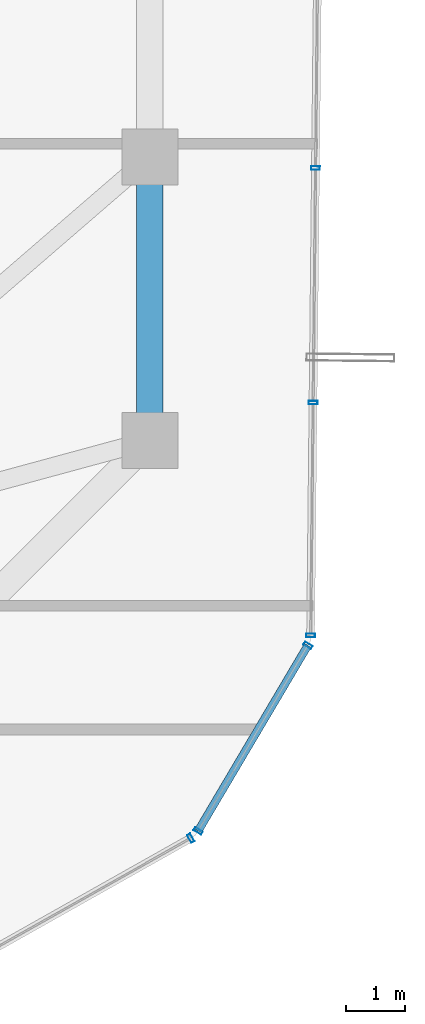
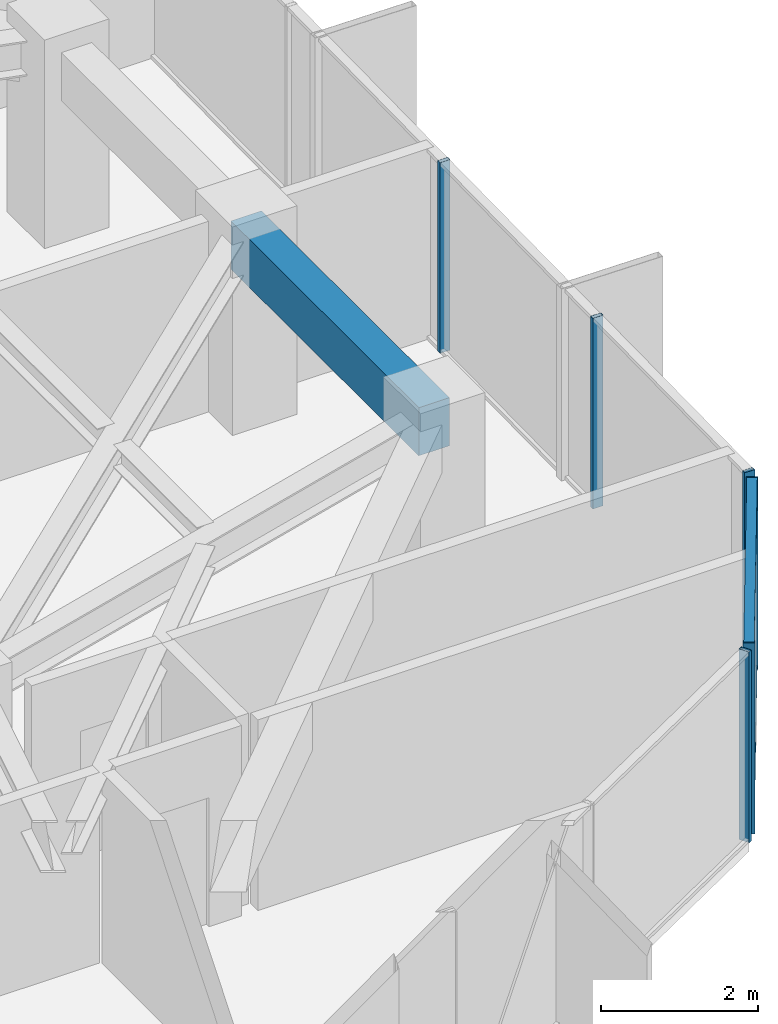
# One storey, part 16 of 30: 8 members, 1 beam, 3 elements without a shape of their own.
"""IFC4 building model written with IfcOpenShell, lengths in metres."""

from ifc_helpers import new_model, si_unit, direction, frame, origin, origin_2d, place, context, subcontext, project, spatial, rectangle, hollow_rectangle, extrude, source, transform, mapped, material, layer, layer_set, material_profile, profile_set, type_object, element, aggregate, save


model = new_model("IFC4")

# Units and contexts
model_context = context("Model", 3, precision=1e-05, world=origin(), true_north=direction((0.0, 1.0)))
body_context = subcontext(model_context, "Body", "Model", "MODEL_VIEW")
ifc_project = project(units=[si_unit("LENGTHUNIT", "METRE"), si_unit("AREAUNIT", "SQUARE_METRE"), si_unit("VOLUMEUNIT", "CUBIC_METRE"), si_unit("PLANEANGLEUNIT", "RADIAN"), si_unit("MASSUNIT", "GRAM", prefix="KILO")], contexts=[model_context])

# Site, building, storey
site_placement = place(None, origin())
site = spatial("IfcSite", under=ifc_project, at=site_placement, CompositionType="ELEMENT")
building_placement = place(site_placement, origin())
building = spatial("IfcBuilding", under=site, at=building_placement, Name="Veraguas Prism Commons", CompositionType="ELEMENT")
storey_placement = place(building_placement, frame((0.0, 0.0, 208.10009765625)))
storey = spatial("IfcBuildingStorey", under=building, at=storey_placement, Name="L59", CompositionType="ELEMENT", Elevation=208.10009765625)

# Beam
ifc_material_1 = material(Name="Concrete C50/60", Category="concrete")
ifc_material_profile_1 = material_profile(ifc_material_1, rectangle(XDim=0.449951171875, YDim=0.75, at=origin_2d()), Name="RC450X750")
ifc_profile_set_1 = profile_set([ifc_material_profile_1], Name="Concrete C50/60")
beam_type = type_object("IfcBeamType", Name="Perimeter Spandrel Upper RC 450x750", PredefinedType="SPANDREL", material=ifc_profile_set_1)
beam_placement = place(storey_placement, frame((38.89990234375, 19.199951171875, 2.594970703125), z_axis=(0.0, 1.0, 0.0), x_axis=(-1.0, 0.0, 0.0)))
element("IfcBeam", 1, at=beam_placement, inside=storey, type_object=beam_type, Name="Perimeter Spandrel Beam L59-SP01", PredefinedType="SPANDREL", context=body_context, shape_type="SweptSolid", body=[
    extrude(rectangle(XDim=0.449951171875, YDim=0.75, at=origin_2d()), origin(), (0.0, 0.0, 1.0), 4.800048828125),
])

# Curtain wall, members
ifc_material_2 = material(Name="Anodised aluminium EN AW-6063 T6", Category="aluminium")
ifc_layer = layer(ifc_material_2, 0.14990234375, Name="Unitised Flush Curtain Wall Zone 3", Category="aluminium")
ifc_layer_set = layer_set([ifc_layer], Name="Anodised aluminium EN AW-6063 T6")
curtain_wall_type = type_object("IfcCurtainWallType", Name="Unitised Flush Curtain Wall Zone 3", PredefinedType="NOTDEFINED", material=ifc_layer_set)
curtain_wall_1_placement = place(storey_placement, origin())
curtain_wall_1 = element("IfcCurtainWall", 2, at=curtain_wall_1_placement, inside=storey, type_object=curtain_wall_type, Name="Chamfer Curtain Wall L59-C6", PredefinedType="NOTDEFINED")
ifc_material_profile_2 = material_profile(ifc_material_2, hollow_rectangle(XDim=0.054931640625, YDim=0.135009765625, WallThickness=0.0029296875, at=origin_2d()), Name="AL55X135X3")
ifc_profile_set_2 = profile_set([ifc_material_profile_2], Name="Anodised aluminium EN AW-6063 T6")
member_type_1 = type_object("IfcMemberType", Name="Curtain Wall Transom Standard AL 55x135x3", PredefinedType="USERDEFINED", material=ifc_profile_set_2)
shared_shape_1 = source(origin(), body_context, "Body", "SweptSolid", [
    extrude(hollow_rectangle(XDim=0.054931640625, YDim=0.135009765625, WallThickness=0.0029296875, at=origin_2d()), origin(), (0.0, 0.0, 1.0), 3.654541015625),
])
member_1_placement = place(storey_placement, frame((39.71923828125, 12.580810546875, 0.02734375), z_axis=(0.509062383724, 0.860729626234, 0.0), x_axis=(0.0, 0.0, 1.0)))
member_1 = element("IfcMember", 3, at=member_1_placement, type_object=member_type_1, Name="CW-Z3 Transom 1", ObjectType="TRANSOM", PredefinedType="USERDEFINED", context=body_context, shape_type="MappedRepresentation", body=[
    mapped(shared_shape_1, transform((0.0, 0.0, 0.0), scale=1.0)),
])
member_2_placement = place(storey_placement, frame((39.71923828125, 12.580810546875, 2.9423828125), z_axis=(0.509062383724, 0.860729626234, 0.0), x_axis=(0.0, 0.0, 1.0)))
member_2 = element("IfcMember", 4, at=member_2_placement, type_object=member_type_1, Name="CW-Z3 Transom 2", ObjectType="TRANSOM", PredefinedType="USERDEFINED", context=body_context, shape_type="MappedRepresentation", body=[
    mapped(shared_shape_1, transform((0.0, 0.0, 0.0), scale=1.0)),
])

# Curtain wall, member
curtain_wall_2_placement = place(storey_placement, origin())
curtain_wall_2 = element("IfcCurtainWall", 5, at=curtain_wall_2_placement, inside=storey, type_object=curtain_wall_type, Name="Tower Facade Curtain Wall L59-F5", PredefinedType="NOTDEFINED")
ifc_material_profile_3 = material_profile(ifc_material_2, hollow_rectangle(XDim=0.06005859375, YDim=0.14990234375, WallThickness=0.0029296875, at=origin_2d()), Name="AL60X150X3")
ifc_profile_set_3 = profile_set([ifc_material_profile_3], Name="Anodised aluminium EN AW-6063 T6")
member_type_2 = type_object("IfcMemberType", Name="Curtain Wall Mullion Upper AL 60x150x3", PredefinedType="MULLION", material=ifc_profile_set_3)
shared_shape_2 = source(origin(), body_context, "Body", "SweptSolid", [
    extrude(hollow_rectangle(XDim=0.06005859375, YDim=0.14990234375, WallThickness=0.0029296875, at=origin_2d()), origin(), (0.0, 0.0, 1.0), 2.969970703125),
])
member_3_placement = place(storey_placement, frame((39.594970703125, 12.459228515625, 0.0), z_axis=(0.0, 0.0, 1.0), x_axis=(0.871215524692, 0.490900712502, 0.0)))
member_3 = element("IfcMember", 6, at=member_3_placement, type_object=member_type_2, Name="CW-Z3 Mullion 5", PredefinedType="MULLION", context=body_context, shape_type="MappedRepresentation", body=[
    mapped(shared_shape_2, transform((0.0, 0.0, 0.0), scale=1.0)),
])
aggregate(curtain_wall_2, [member_3])

# Curtain wall, members
curtain_wall_3_placement = place(storey_placement, origin())
curtain_wall_3 = element("IfcCurtainWall", 7, at=curtain_wall_3_placement, inside=storey, type_object=curtain_wall_type, Name="Tower Facade Curtain Wall L59-F6", PredefinedType="NOTDEFINED")
member_4_placement = place(storey_placement, frame((41.626220703125, 15.893798828125, 0.0), z_axis=(0.0, 0.0, 1.0), x_axis=(0.010470038883, 0.999945187641, 0.0)))
member_4 = element("IfcMember", 8, at=member_4_placement, type_object=member_type_2, Name="CW-Z3 Mullion 1", PredefinedType="MULLION", context=body_context, shape_type="MappedRepresentation", body=[
    mapped(shared_shape_2, transform((0.0, 0.0, 0.0), scale=1.0)),
])
member_5_placement = place(storey_placement, frame((41.667724609375, 19.839111328125, 0.0), z_axis=(0.0, 0.0, 1.0), x_axis=(0.010470038883, 0.999945187641, 0.0)))
member_5 = element("IfcMember", 9, at=member_5_placement, type_object=member_type_2, Name="CW-Z3 Mullion 2", PredefinedType="MULLION", context=body_context, shape_type="MappedRepresentation", body=[
    mapped(shared_shape_2, transform((0.0, 0.0, 0.0), scale=1.0)),
])
member_6_placement = place(storey_placement, frame((41.709228515625, 23.814453125, 0.0), z_axis=(0.0, 0.0, 1.0), x_axis=(0.010470038883, 0.999945187641, 0.0)))
member_6 = element("IfcMember", 10, at=member_6_placement, type_object=member_type_2, Name="CW-Z3 Mullion 3", PredefinedType="MULLION", context=body_context, shape_type="MappedRepresentation", body=[
    mapped(shared_shape_2, transform((0.0, 0.0, 0.0), scale=1.0)),
])
aggregate(curtain_wall_3, [member_4, member_5, member_6])

# Member
member_7_placement = place(storey_placement, frame((39.71923828125, 12.580810546875, 0.0), z_axis=(0.0, 0.0, 1.0), x_axis=(0.509057940717, 0.860732253952, 0.0)))
member_7 = element("IfcMember", 11, at=member_7_placement, type_object=member_type_2, Name="CW-Z3 Mullion 1", PredefinedType="MULLION", context=body_context, shape_type="MappedRepresentation", body=[
    mapped(shared_shape_2, transform((0.0, 0.0, 0.0), scale=1.0)),
])

member_8_placement = place(storey_placement, frame((41.57958984375, 15.726318359375, 0.0), z_axis=(0.0, 0.0, 1.0), x_axis=(0.509057940717, 0.860732253952, 0.0)))
member_8 = element("IfcMember", 12, at=member_8_placement, type_object=member_type_2, Name="CW-Z3 Mullion 2", PredefinedType="MULLION", context=body_context, shape_type="MappedRepresentation", body=[
    mapped(shared_shape_2, transform((0.0, 0.0, 0.0), scale=1.0)),
])

aggregate(curtain_wall_1, [member_7, member_8, member_1, member_2])

save(model, "model.ifc")
